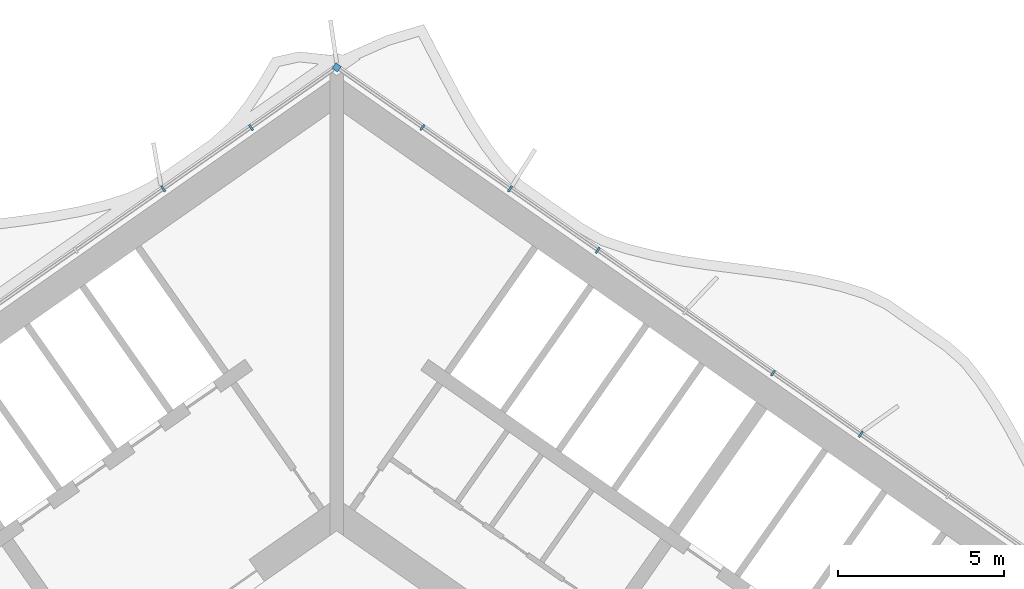
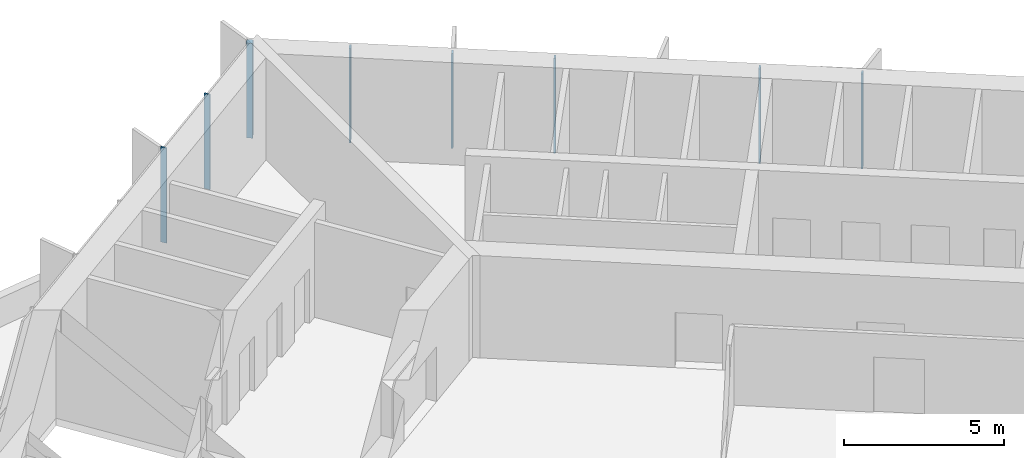
# One storey, part 9 of 23: 8 members, 1 element without a shape of its own.
"""IFC4 building model written with IfcOpenShell, lengths in metres."""

from ifc_helpers import new_model, si_unit, direction, frame, origin, origin_2d, place, context, subcontext, project, spatial, rectangle, extrude, material, material_profile, profile_set, type_object, element, aggregate, save


model = new_model("IFC4")

# Units and contexts
model_context = context("Model", 3, precision=1e-05, world=origin(), true_north=direction((0.0, 1.0)))
body_context = subcontext(model_context, "Body", "Model", "MODEL_VIEW")
ifc_project = project(units=[si_unit("LENGTHUNIT", "METRE"), si_unit("AREAUNIT", "SQUARE_METRE"), si_unit("VOLUMEUNIT", "CUBIC_METRE"), si_unit("PLANEANGLEUNIT", "RADIAN"), si_unit("MASSUNIT", "GRAM", prefix="KILO")], contexts=[model_context])

# Site, building, storey
site_placement = place(None, origin())
site = spatial("IfcSite", under=ifc_project, at=site_placement, CompositionType="ELEMENT")
building_placement = place(site_placement, origin())
building = spatial("IfcBuilding", under=site, at=building_placement, Name="Tel Ilan Convention Tower", CompositionType="ELEMENT")
storey_placement = place(building_placement, frame((0.0, 0.0, 194.39990234375)))
storey = spatial("IfcBuildingStorey", under=building, at=storey_placement, Name="L45", CompositionType="ELEMENT", Elevation=194.39990234375)

# Curtain wall, members
ifc_material_1 = material(Name="Aluminium, bronze anodised", Category="aluminium")
curtain_wall_type = type_object("IfcCurtainWallType", Name="CW2 STICK CURTAIN WALL, SPANDREL PANELS", PredefinedType="NOTDEFINED", material=ifc_material_1)
curtain_wall_placement = place(storey_placement, origin())
curtain_wall = element("IfcCurtainWall", 1, at=curtain_wall_placement, inside=storey, type_object=curtain_wall_type, Name="Curtain wall CW2-35.01", PredefinedType="NOTDEFINED")
ifc_material_2 = material(Name="Aluminium, bronze anodised", Category="aluminium")
ifc_material_profile_1 = material_profile(ifc_material_2, rectangle(XDim=0.199951171875, YDim=0.199951171875, at=origin_2d()), Name="CW CORNER MULLION 200x200")
ifc_profile_set_1 = profile_set([ifc_material_profile_1], Name="Aluminium, bronze anodised")
member_type_1 = type_object("IfcMemberType", Name="CW CORNER MULLION 200x200", PredefinedType="MULLION", material=ifc_profile_set_1)
member_1_placement = place(storey_placement, frame((0.0, 12.696044921875, 0.0), z_axis=(0.0, 0.0, 1.0), x_axis=(-0.819152044289, 0.573576436351, 0.0)))
member_1 = element("IfcMember", 2, at=member_1_placement, type_object=member_type_1, Name="Corner mullion", PredefinedType="MULLION", context=body_context, shape_type="SweptSolid", body=[
    extrude(rectangle(XDim=0.199951171875, YDim=0.199951171875, at=origin_2d()), origin(), (0.0, 0.0, 1.0), 3.6201171875),
])
ifc_material_3 = material(Name="Aluminium, bronze anodised", Category="aluminium")
ifc_material_profile_2 = material_profile(ifc_material_3, rectangle(XDim=0.06005859375, YDim=0.199951171875, at=origin_2d()), Name="CW MULLION 60x200")
ifc_profile_set_2 = profile_set([ifc_material_profile_2], Name="Aluminium, bronze anodised")
member_type_2 = type_object("IfcMemberType", Name="CW MULLION 60x200", PredefinedType="MULLION", material=ifc_profile_set_2)
member_2_placement = place(storey_placement, frame((15.73828125, 1.676025390625, 0.0), z_axis=(0.0, 0.0, 1.0), x_axis=(-0.819152044289, 0.573576436351, 0.0)))
member_2 = element("IfcMember", 3, at=member_2_placement, type_object=member_type_2, Name="Mullion", PredefinedType="MULLION", context=body_context, shape_type="SweptSolid", body=[
    extrude(rectangle(XDim=0.06005859375, YDim=0.199951171875, at=origin_2d()), origin(), (0.0, 0.0, 1.0), 3.6201171875),
])
member_3_placement = place(storey_placement, frame((13.105712890625, 3.519287109375, 0.0), z_axis=(0.0, 0.0, 1.0), x_axis=(-0.819152044289, 0.573576436351, 0.0)))
member_3 = element("IfcMember", 4, at=member_3_placement, type_object=member_type_2, Name="Mullion", PredefinedType="MULLION", context=body_context, shape_type="SweptSolid", body=[
    extrude(rectangle(XDim=0.06005859375, YDim=0.199951171875, at=origin_2d()), origin(), (0.0, 0.0, 1.0), 3.6201171875),
])
member_4_placement = place(storey_placement, frame((7.840576171875, 7.2060546875, 0.0), z_axis=(0.0, 0.0, 1.0), x_axis=(-0.819152044289, 0.573576436351, 0.0)))
member_4 = element("IfcMember", 5, at=member_4_placement, type_object=member_type_2, Name="Mullion", PredefinedType="MULLION", context=body_context, shape_type="SweptSolid", body=[
    extrude(rectangle(XDim=0.06005859375, YDim=0.199951171875, at=origin_2d()), origin(), (0.0, 0.0, 1.0), 3.6201171875),
])
member_5_placement = place(storey_placement, frame((5.207763671875, 9.049560546875, 0.0), z_axis=(0.0, 0.0, 1.0), x_axis=(-0.819152044289, 0.573576436351, 0.0)))
member_5 = element("IfcMember", 6, at=member_5_placement, type_object=member_type_2, Name="Mullion", PredefinedType="MULLION", context=body_context, shape_type="SweptSolid", body=[
    extrude(rectangle(XDim=0.06005859375, YDim=0.199951171875, at=origin_2d()), origin(), (0.0, 0.0, 1.0), 3.6201171875),
])
member_6_placement = place(storey_placement, frame((2.5751953125, 10.892822265625, 0.0), z_axis=(0.0, 0.0, 1.0), x_axis=(-0.819152044289, 0.573576436351, 0.0)))
member_6 = element("IfcMember", 7, at=member_6_placement, type_object=member_type_2, Name="Mullion", PredefinedType="MULLION", context=body_context, shape_type="SweptSolid", body=[
    extrude(rectangle(XDim=0.06005859375, YDim=0.199951171875, at=origin_2d()), origin(), (0.0, 0.0, 1.0), 3.6201171875),
])
member_7_placement = place(storey_placement, frame((-2.5751953125, 10.892822265625, 0.0), z_axis=(0.0, 0.0, 1.0), x_axis=(-0.819152044289, -0.573576436351, 0.0)))
member_7 = element("IfcMember", 8, at=member_7_placement, type_object=member_type_2, Name="Mullion", PredefinedType="MULLION", context=body_context, shape_type="SweptSolid", body=[
    extrude(rectangle(XDim=0.06005859375, YDim=0.199951171875, at=origin_2d()), origin(), (0.0, 0.0, 1.0), 3.6201171875),
])
member_8_placement = place(storey_placement, frame((-5.207763671875, 9.049560546875, 0.0), z_axis=(0.0, 0.0, 1.0), x_axis=(-0.819152044289, -0.573576436351, 0.0)))
member_8 = element("IfcMember", 9, at=member_8_placement, type_object=member_type_2, Name="Mullion", PredefinedType="MULLION", context=body_context, shape_type="SweptSolid", body=[
    extrude(rectangle(XDim=0.06005859375, YDim=0.199951171875, at=origin_2d()), origin(), (0.0, 0.0, 1.0), 3.6201171875),
])
aggregate(curtain_wall, [member_2, member_3, member_4, member_5, member_6, member_1, member_7, member_8])

save(model, "model.ifc")
